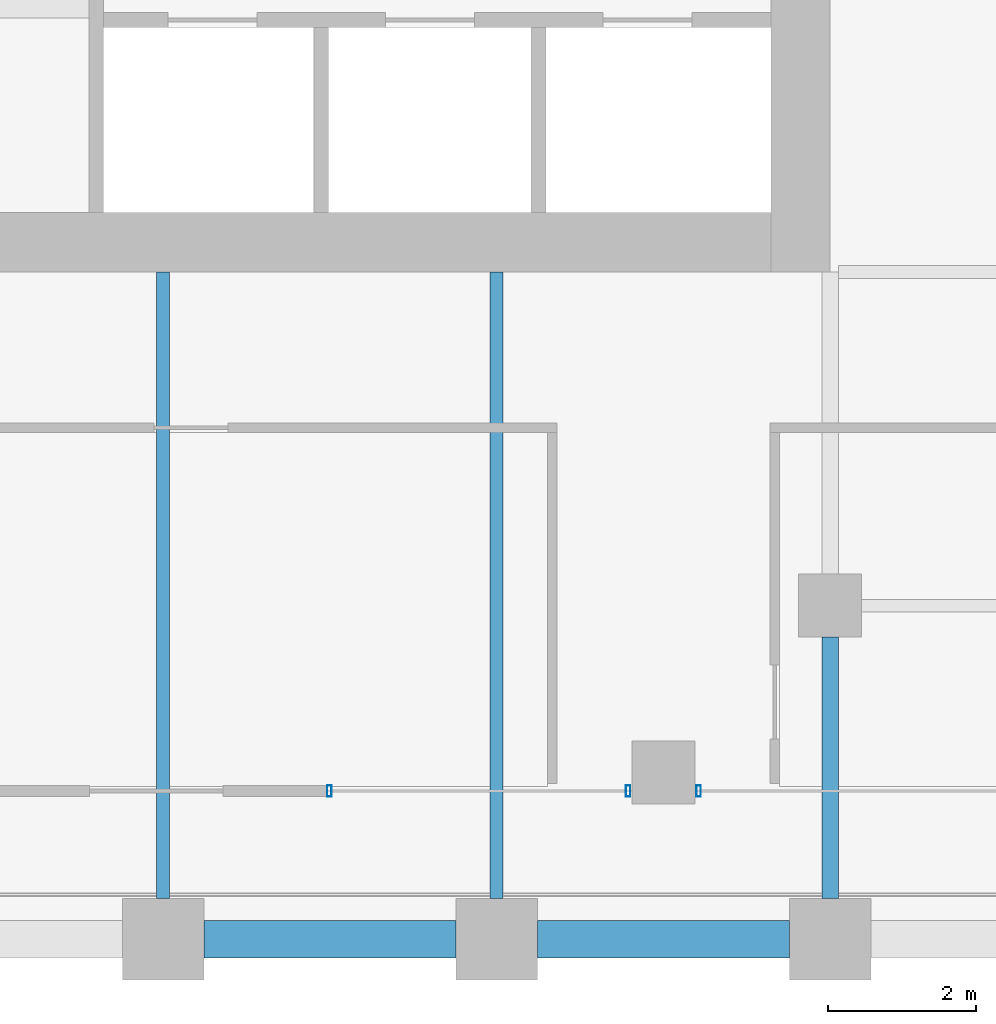
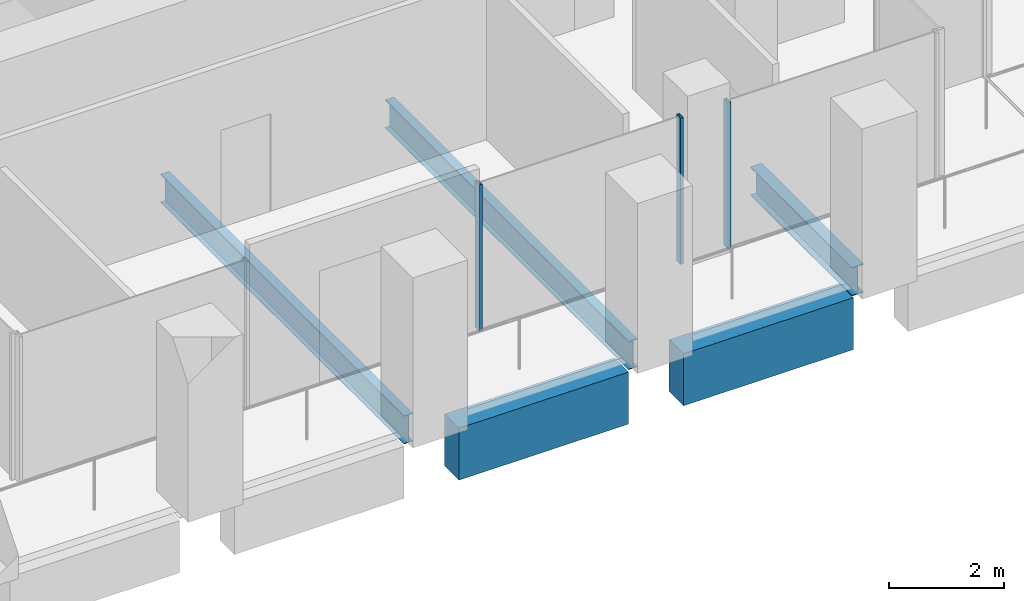
# One storey, part 37 of 56: 5 beams, 3 members, 2 elements without a shape of their own.
"""IFC4 building model written with IfcOpenShell, lengths in metres."""

from ifc_helpers import new_model, si_unit, direction, frame, origin, origin_2d, place, context, subcontext, project, spatial, rectangle, hollow_rectangle, i_section, extrude, material, material_profile, profile_set, type_object, element, aggregate, save


model = new_model("IFC4")

# Units and contexts
model_context = context("Model", 3, precision=1e-05, world=origin(), true_north=direction((0.0, 1.0)))
body_context = subcontext(model_context, "Body", "Model", "MODEL_VIEW")
ifc_project = project(units=[si_unit("LENGTHUNIT", "METRE"), si_unit("AREAUNIT", "SQUARE_METRE"), si_unit("VOLUMEUNIT", "CUBIC_METRE"), si_unit("PLANEANGLEUNIT", "RADIAN"), si_unit("MASSUNIT", "GRAM", prefix="KILO")], contexts=[model_context])

# Site, building, storey
site_placement = place(None, origin())
site = spatial("IfcSite", under=ifc_project, at=site_placement, CompositionType="ELEMENT")
building_placement = place(site_placement, origin())
building = spatial("IfcBuilding", under=site, at=building_placement, Name="Altepetl Exchange Towers", CompositionType="ELEMENT")
storey_placement = place(building_placement, frame((0.0, 0.0, 54.60009765625)))
storey = spatial("IfcBuildingStorey", under=building, at=storey_placement, Name="L12", CompositionType="ELEMENT", Elevation=54.60009765625)

# Beams
ifc_material_1 = material(Name="Steel S355", Category="steel")
ifc_material_profile_1 = material_profile(ifc_material_1, i_section(OverallWidth=0.177978515625, OverallDepth=0.59912109375, WebThickness=0.010009765625, FlangeThickness=0.0126953125, at=origin_2d()), Name="W24X55")
ifc_profile_set_1 = profile_set([ifc_material_profile_1], Name="Steel S355")
beam_type_1 = type_object("IfcBeamType", Name="Floor beam W24X55", PredefinedType="BEAM", material=ifc_profile_set_1)
for number, where, z_axis, x_axis, name in (
    (1, (108.0, 27.550048828125, -0.44970703125), (0.0, 1.0, 0.0), (-1.0, 0.0, 0.0), "bm:B:L12:010"),
    (2, (112.5, 27.550048828125, -0.44970703125), (0.0, 1.0, 0.0), (-1.0, 0.0, 0.0), "bm:B:L12:011"),
):
    element("IfcBeam", number, at=place(storey_placement, frame(where, z_axis=z_axis, x_axis=x_axis)), inside=storey, type_object=beam_type_1, Name=name, PredefinedType="BEAM", context=body_context, shape_type="SweptSolid", body=[
        extrude(i_section(OverallWidth=0.177978515625, OverallDepth=0.59912109375, WebThickness=0.010009765625, FlangeThickness=0.0126953125, at=origin_2d()), origin(), (0.0, 0.0, 1.0), 8.449951171875),
    ])
ifc_material_profile_2 = material_profile(ifc_material_1, i_section(OverallWidth=0.22802734375, OverallDepth=0.60791015625, WebThickness=0.01123046875, FlangeThickness=0.017333984375, at=origin_2d()), Name="W24X76")
ifc_profile_set_2 = profile_set([ifc_material_profile_2], Name="Steel S355")
beam_type_2 = type_object("IfcBeamType", Name="Girder W24X76", PredefinedType="BEAM", material=ifc_profile_set_2)
beam_placement = place(storey_placement, frame((117.0, 31.074951171875, -0.4541015625), z_axis=(0.0, -1.0, 0.0), x_axis=(1.0, 0.0, 0.0)))
element("IfcBeam", 3, at=beam_placement, inside=storey, type_object=beam_type_2, Name="gd:B:L12:005", PredefinedType="BEAM", context=body_context, shape_type="SweptSolid", body=[
    extrude(i_section(OverallWidth=0.22802734375, OverallDepth=0.60791015625, WebThickness=0.01123046875, FlangeThickness=0.017333984375, at=origin_2d()), origin(), (0.0, 0.0, 1.0), 3.52490234375),
])

# Curtain wall, members
ifc_material_2 = material(Name="Aluminium 6063-T6 glazing", Category="aluminium")
curtain_wall_type = type_object("IfcCurtainWallType", Name="Loggia glazing system", PredefinedType="NOTDEFINED", material=ifc_material_2)
curtain_wall_1_placement = place(storey_placement, origin())
curtain_wall_1 = element("IfcCurtainWall", 4, at=curtain_wall_1_placement, inside=storey, type_object=curtain_wall_type, Name="CW1 run", PredefinedType="NOTDEFINED")
ifc_material_3 = material(Name="Aluminium 6063-T6", Category="aluminium")
ifc_material_profile_3 = material_profile(ifc_material_3, hollow_rectangle(XDim=0.06005859375, YDim=0.14990234375, WallThickness=0.0029296875, at=origin_2d()), Name="Mullion 60x150 aluminium")
ifc_profile_set_3 = profile_set([ifc_material_profile_3], Name="Aluminium 6063-T6")
member_type = type_object("IfcMemberType", Name="Mullion 60x150 aluminium", PredefinedType="MULLION", material=ifc_profile_set_3)
member_1_placement = place(storey_placement, frame((110.242431640625, 29.0, 0.0)))
member_1 = element("IfcMember", 5, at=member_1_placement, type_object=member_type, Name="MU1 mullion", PredefinedType="MULLION", context=body_context, shape_type="SweptSolid", body=[
    extrude(hollow_rectangle(XDim=0.06005859375, YDim=0.14990234375, WallThickness=0.0029296875, at=origin_2d()), origin(), (0.0, 0.0, 1.0), 3.099853515625),
])
member_2_placement = place(storey_placement, frame((114.27490234375, 29.0, 0.0)))
member_2 = element("IfcMember", 6, at=member_2_placement, type_object=member_type, Name="MU1 mullion", PredefinedType="MULLION", context=body_context, shape_type="SweptSolid", body=[
    extrude(hollow_rectangle(XDim=0.06005859375, YDim=0.14990234375, WallThickness=0.0029296875, at=origin_2d()), origin(), (0.0, 0.0, 1.0), 3.099853515625),
])
aggregate(curtain_wall_1, [member_1, member_2])

# Curtain wall, member
curtain_wall_2_placement = place(storey_placement, origin())
curtain_wall_2 = element("IfcCurtainWall", 7, at=curtain_wall_2_placement, inside=storey, type_object=curtain_wall_type, Name="CW1 run", PredefinedType="NOTDEFINED")
member_3_placement = place(storey_placement, frame((115.22509765625, 29.0, 0.0)))
member_3 = element("IfcMember", 8, at=member_3_placement, type_object=member_type, Name="MU1 mullion", PredefinedType="MULLION", context=body_context, shape_type="SweptSolid", body=[
    extrude(hollow_rectangle(XDim=0.06005859375, YDim=0.14990234375, WallThickness=0.0029296875, at=origin_2d()), origin(), (0.0, 0.0, 1.0), 3.099853515625),
])
aggregate(curtain_wall_2, [member_3])

# Beams
ifc_material_4 = material(Name="Concrete C50/60 precast with tezontle facing", Category="concrete")
ifc_material_profile_4 = material_profile(ifc_material_4, rectangle(XDim=0.5, YDim=1.10009765625, at=origin_2d()), Name="500 x 1100")
ifc_profile_set_4 = profile_set([ifc_material_profile_4], Name="Concrete C50/60 precast with tezontle facing")
beam_type_3 = type_object("IfcBeamType", Name="Spandrel beam 500x1100 tezontle", PredefinedType="SPANDREL", material=ifc_profile_set_4)
for number, where, z_axis, x_axis, name in (
    (9, (108.550048828125, 27.0, -0.7001953125), (1.0, 0.0, 0.0), (0.0, 1.0, 0.0), "sp:B:L12:002"),
    (10, (113.050048828125, 27.0, -0.7001953125), (1.0, 0.0, 0.0), (0.0, 1.0, 0.0), "sp:B:L12:003"),
):
    element("IfcBeam", number, at=place(storey_placement, frame(where, z_axis=z_axis, x_axis=x_axis)), inside=storey, type_object=beam_type_3, Name=name, PredefinedType="SPANDREL", context=body_context, shape_type="SweptSolid", body=[
        extrude(rectangle(XDim=0.5, YDim=1.10009765625, at=origin_2d()), origin(), (0.0, 0.0, 1.0), 3.39990234375),
    ])

save(model, "model.ifc")
